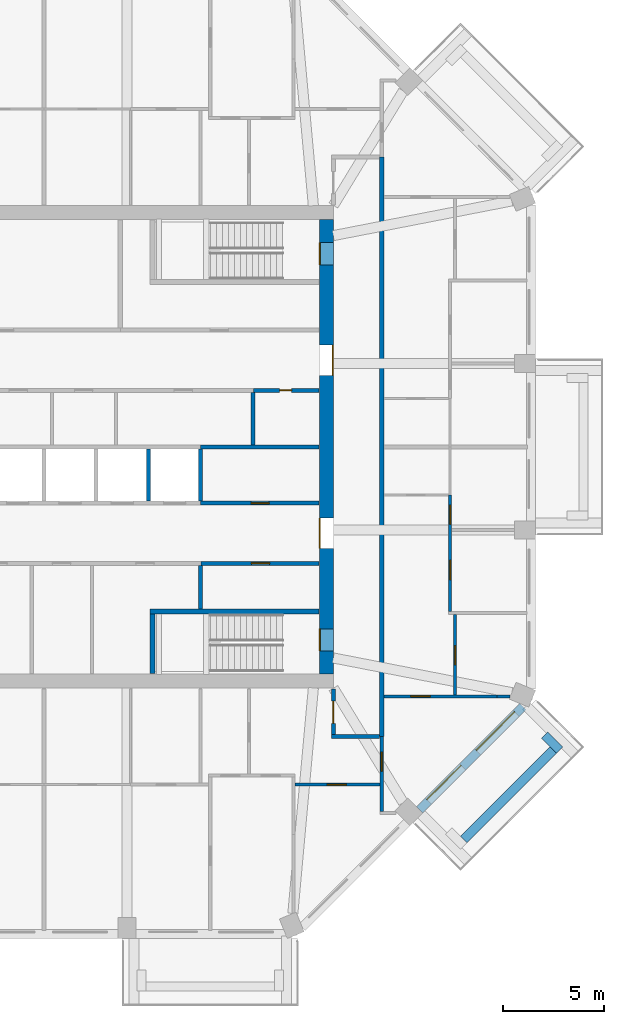
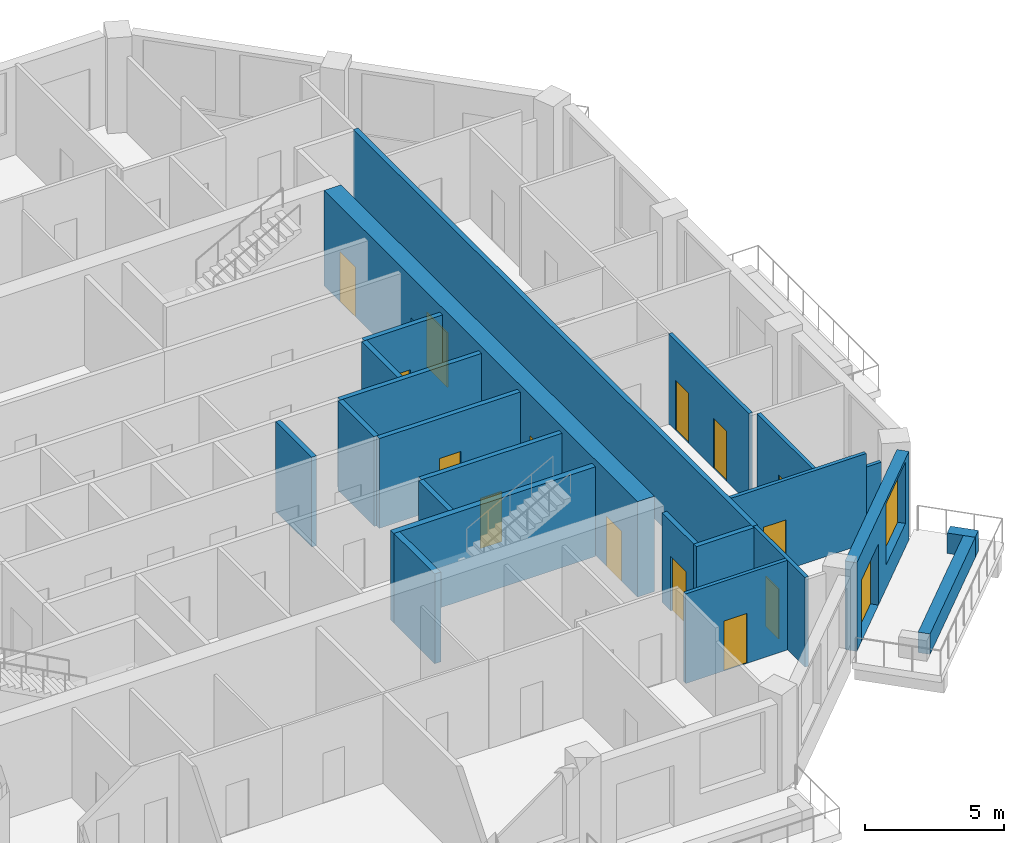
# One storey, part 6 of 12: 23 walls, 15 doors, 1 window, 16 openings.
"""IFC4 building model written with IfcOpenShell, lengths in metres."""

from ifc_helpers import new_model, si_unit, direction, frame, frame_2d, origin, place, context, subcontext, project, spatial, rectangle, extrude, material, layer, layer_set, type_object, element, fill, save


model = new_model("IFC4")

# Units and contexts
model_context = context("Model", 3, precision=1e-05, world=origin(), true_north=direction((0.0, 1.0)))
body_context = subcontext(model_context, "Body", "Model", "MODEL_VIEW")
ifc_project = project(units=[si_unit("LENGTHUNIT", "METRE"), si_unit("AREAUNIT", "SQUARE_METRE"), si_unit("VOLUMEUNIT", "CUBIC_METRE"), si_unit("PLANEANGLEUNIT", "RADIAN"), si_unit("MASSUNIT", "GRAM", prefix="KILO")], contexts=[model_context])

# Site, building, storey
site_placement = place(None, origin())
site = spatial("IfcSite", under=ifc_project, at=site_placement, CompositionType="ELEMENT")
building_placement = place(site_placement, origin())
building = spatial("IfcBuilding", under=site, at=building_placement, Name="Msitu Wima Residences", CompositionType="ELEMENT")
storey_placement = place(building_placement, frame((0.0, 0.0, 183.300048828125)))
storey = spatial("IfcBuildingStorey", under=building, at=storey_placement, Name="L42", CompositionType="ELEMENT", Elevation=183.300048828125)

# Walls
ifc_material_1 = material(Name="Facing brick")
ifc_layer_1 = layer(ifc_material_1, 0.06494140625, Name="Facing brick")
ifc_material_2 = material(Name="Concrete C40/50", Category="concrete")
ifc_layer_2 = layer(ifc_material_2, 0.156005859375, Name="Concrete C40/50")
ifc_material_3 = material(Name="Waterproofing membrane")
ifc_layer_3 = layer(ifc_material_3, 0.00390625, Name="Waterproofing membrane")
ifc_material_4 = material(Name="Planting soil and planting")
ifc_layer_4 = layer(ifc_material_4, 0.22509765625, Name="Planting soil and planting")
ifc_layer_set_1 = layer_set([ifc_layer_1, ifc_layer_2, ifc_layer_3, ifc_layer_4], Name="Concrete C40/50")
wall_type_1 = type_object("IfcWallType", Name="Balcony planter PLANTER PL450", PredefinedType="USERDEFINED", material=ifc_layer_set_1)
wall_1_placement = place(storey_placement, frame((20.875244140625, -19.53173828125, 0.0), z_axis=(0.0, 0.0, 1.0), x_axis=(0.707106781187, 0.707106781187, 0.0)))
element("IfcWall", 1, at=wall_1_placement, inside=storey, type_object=wall_type_1, Name="Balcony planter SE1 L42", ObjectType="PLANTER", PredefinedType="USERDEFINED", context=body_context, shape_type="SweptSolid", body=[
    extrude(rectangle(XDim=6.294189453125, YDim=0.449951171875, at=frame_2d((3.14697265625, 0.0))), origin(), (0.0, 0.0, 1.0), 0.89990234375),
])
wall_2_placement = place(storey_placement, frame((24.901611328125, -14.338623046875, 0.0), z_axis=(0.0, 0.0, 1.0), x_axis=(0.707106781187, -0.707106781187, 0.0)))
element("IfcWall", 2, at=wall_2_placement, inside=storey, type_object=wall_type_1, Name="Balcony planter SE1 L42", ObjectType="PLANTER", PredefinedType="USERDEFINED", context=body_context, shape_type="SweptSolid", body=[
    extrude(rectangle(XDim=1.050048828125, YDim=0.449951171875, at=frame_2d((0.52490234375, 0.0))), origin(), (0.0, 0.0, 1.0), 0.89990234375),
])

# Wall, openings, door, window
ifc_material_5 = material(Name="Brick (red buff mix)", Category="masonry")
ifc_layer_5 = layer(ifc_material_5, 0.449951171875)
ifc_layer_set_2 = layer_set([ifc_layer_5], Name="Brick (red buff mix)")
wall_type_2 = type_object("IfcWallType", Name="Brick infill wall BW450", PredefinedType="SOLIDWALL", material=ifc_layer_set_2)
wall_3_placement = place(storey_placement, frame((18.68310546875, -18.046875, 0.0), z_axis=(0.0, 0.0, 1.0), x_axis=(0.707106781187, 0.707106781187, 0.0)))
wall_3 = element("IfcWall", 3, at=wall_3_placement, inside=storey, type_object=wall_type_2, Name="Brick infill wall L42 SE1", PredefinedType="SOLIDWALL", context=body_context, shape_type="SweptSolid", body=[
    extrude(rectangle(XDim=7.257080078125, YDim=0.449951171875, at=frame_2d((3.62841796875, 0.0))), origin(), (0.0, 0.0, 1.0), 3.89990234375),
])
opening_1_placement = place(wall_3_placement, frame((0.6142578125, 0.0, 0.0)))
opening_1 = element("IfcOpeningElement", 4, at=opening_1_placement, cuts=wall_3, Name="Opening D40-42.008", PredefinedType="OPENING", context=body_context, shape_type="SweptSolid", body=[
    extrude(rectangle(XDim=2.39990234375, YDim=2.699951171875, at=frame_2d((1.199951171875, 1.35009765625))), frame((0.0, 0.23486328125, 0.0), z_axis=(0.0, -1.0, 0.0), x_axis=(1.0, 0.0, 0.0)), (0.0, 0.0, 1.0), 0.469970703125),
])
opening_2_placement = place(wall_3_placement, frame((4.07861328125, 0.0, 1.050048828125)))
opening_2 = element("IfcOpeningElement", 5, at=opening_2_placement, cuts=wall_3, Name="Opening W40-42.022", PredefinedType="OPENING", context=body_context, shape_type="SweptSolid", body=[
    extrude(rectangle(XDim=2.699951171875, YDim=2.699951171875, at=frame_2d((1.35009765625, 1.35009765625))), frame((0.0, 0.23486328125, 0.0), z_axis=(0.0, -1.0, 0.0), x_axis=(1.0, 0.0, 0.0)), (0.0, 0.0, 1.0), 0.469970703125),
])
ifc_material_6 = material(Name="Anodised aluminium, bronze finish, clear low-emissivity double glazing", Category="aluminium")
door_type_1 = type_object("IfcDoorType", Name="Balcony door D2400x2700", OperationType="SLIDING_TO_LEFT", PredefinedType="DOOR", material=ifc_material_6)
door_1_placement = place(opening_1_placement, origin())
door_1 = element("IfcDoor", 6, at=door_1_placement, inside=storey, type_object=door_type_1, Name="Balcony door L42 SE1", OperationType="SINGLE_SWING_LEFT", OverallHeight=2.699951171875, OverallWidth=2.39990234375, PredefinedType="DOOR", context=body_context, shape_type="SweptSolid", body=[
    extrude(rectangle(XDim=2.39990234375, YDim=2.699951171875, at=frame_2d((1.199951171875, 1.35009765625))), frame((0.0, 0.1298828125, 0.0), z_axis=(0.0, -1.0, 0.0), x_axis=(1.0, 0.0, 0.0)), (0.0, 0.0, 1.0), 0.050048828125),
])
fill(opening_1, door_1)
window_type = type_object("IfcWindowType", Name="Window W2700x2700", PartitioningType="DOUBLE_PANEL_VERTICAL", PredefinedType="WINDOW", material=ifc_material_6)
window_placement = place(opening_2_placement, origin())
window = element("IfcWindow", 7, at=window_placement, inside=storey, type_object=window_type, Name="Window L42 SE1.2", OverallHeight=2.699951171875, OverallWidth=2.699951171875, PartitioningType="SINGLE_PANEL", PredefinedType="WINDOW", context=body_context, shape_type="SweptSolid", body=[
    extrude(rectangle(XDim=2.699951171875, YDim=2.699951171875, at=frame_2d((1.35009765625, 1.35009765625))), frame((0.0, 0.135009765625, 0.0), z_axis=(0.0, -1.0, 0.0), x_axis=(1.0, 0.0, 0.0)), (0.0, 0.0, 1.0), 0.06005859375),
])
fill(opening_2, window)

# Wall, openings, doors
ifc_material_7 = material(Name="Concrete C60/75", Category="concrete")
ifc_layer_6 = layer(ifc_material_7, 0.699951171875)
ifc_layer_set_3 = layer_set([ifc_layer_6], Name="Concrete C60/75")
wall_type_3 = type_object("IfcWallType", Name="Core wall CW700 C60/75", PredefinedType="SHEAR", material=ifc_layer_set_3)
wall_4_placement = place(storey_placement, frame((14.050048828125, -11.300048828125, 0.0), z_axis=(0.0, 0.0, 1.0), x_axis=(0.0, 1.0, 0.0)))
wall_4 = element("IfcWall", 8, at=wall_4_placement, inside=storey, type_object=wall_type_3, Name="Core wall", PredefinedType="SHEAR", context=body_context, shape_type="SweptSolid", body=[
    extrude(rectangle(XDim=22.60009765625, YDim=0.699951171875, at=frame_2d((11.300048828125, 0.0))), origin(), (0.0, 0.0, 1.0), 4.199951171875),
])
opening_3_placement = place(wall_4_placement, frame((20.35009765625, 0.0, 0.0)))
opening_3 = element("IfcOpeningElement", 9, at=opening_3_placement, cuts=wall_4, Name="Opening D40-42.091", PredefinedType="OPENING", context=body_context, shape_type="SweptSolid", body=[
    extrude(rectangle(XDim=1.10009765625, YDim=2.199951171875, at=frame_2d((0.550048828125, 1.10009765625))), frame((0.0, 0.35986328125, 0.0), z_axis=(0.0, -1.0, 0.0), x_axis=(1.0, 0.0, 0.0)), (0.0, 0.0, 1.0), 0.719970703125),
])
opening_4_placement = place(wall_4_placement, frame((1.14990234375, 0.0, 0.0)))
opening_4 = element("IfcOpeningElement", 10, at=opening_4_placement, cuts=wall_4, Name="Opening D40-42.092", PredefinedType="OPENING", context=body_context, shape_type="SweptSolid", body=[
    extrude(rectangle(XDim=1.10009765625, YDim=2.199951171875, at=frame_2d((0.550048828125, 1.10009765625))), frame((0.0, 0.35986328125, 0.0), z_axis=(0.0, -1.0, 0.0), x_axis=(1.0, 0.0, 0.0)), (0.0, 0.0, 1.0), 0.719970703125),
])
opening_5_placement = place(wall_4_placement, frame((14.85009765625, 0.0, 0.0)))
opening_5 = element("IfcOpeningElement", 11, at=opening_5_placement, cuts=wall_4, Name="Opening D40-42.079", PredefinedType="OPENING", context=body_context, shape_type="SweptSolid", body=[
    extrude(rectangle(XDim=1.5, YDim=2.39990234375, at=frame_2d((0.75, 1.199951171875))), frame((0.0, 0.35986328125, 0.0), z_axis=(0.0, -1.0, 0.0), x_axis=(1.0, 0.0, 0.0)), (0.0, 0.0, 1.0), 0.719970703125),
])
opening_6_placement = place(wall_4_placement, frame((6.25, 0.0, 0.0)))
opening_6 = element("IfcOpeningElement", 12, at=opening_6_placement, cuts=wall_4, Name="Opening D40-42.080", PredefinedType="OPENING", context=body_context, shape_type="SweptSolid", body=[
    extrude(rectangle(XDim=1.5, YDim=2.39990234375, at=frame_2d((0.75, 1.199951171875))), frame((0.0, 0.35986328125, 0.0), z_axis=(0.0, -1.0, 0.0), x_axis=(1.0, 0.0, 0.0)), (0.0, 0.0, 1.0), 0.719970703125),
])
ifc_material_8 = material(Name="Steel framed glazed door, fire resisting", Category="steel")
door_type_2 = type_object("IfcDoorType", Name="Lobby door D07 1500x2400", OperationType="DOUBLE_DOOR_SINGLE_SWING", PredefinedType="DOOR", material=ifc_material_8)
door_2_placement = place(opening_5_placement, origin())
door_2 = element("IfcDoor", 13, at=door_2_placement, inside=storey, type_object=door_type_2, Name="Lobby door", OperationType="DOUBLE_DOOR_SINGLE_SWING", OverallHeight=2.39990234375, OverallWidth=1.5, PredefinedType="DOOR", context=body_context, shape_type="SweptSolid", body=[
    extrude(rectangle(XDim=1.5, YDim=2.39990234375, at=frame_2d((0.75, 1.199951171875))), frame((0.0, -0.294921875, 0.0), z_axis=(0.0, -1.0, 0.0), x_axis=(1.0, 0.0, 0.0)), (0.0, 0.0, 1.0), 0.050048828125),
])
fill(opening_5, door_2)
door_3_placement = place(opening_6_placement, origin())
door_3 = element("IfcDoor", 14, at=door_3_placement, inside=storey, type_object=door_type_2, Name="Lobby door", OperationType="DOUBLE_DOOR_SINGLE_SWING", OverallHeight=2.39990234375, OverallWidth=1.5, PredefinedType="DOOR", context=body_context, shape_type="SweptSolid", body=[
    extrude(rectangle(XDim=1.5, YDim=2.39990234375, at=frame_2d((0.75, 1.199951171875))), frame((0.0, 0.34521484375, 0.0), z_axis=(0.0, -1.0, 0.0), x_axis=(1.0, 0.0, 0.0)), (0.0, 0.0, 1.0), 0.050048828125),
])
fill(opening_6, door_3)
ifc_material_9 = material(Name="Steel door, fire resisting, panic bar", Category="steel")
door_type_3 = type_object("IfcDoorType", Name="Stair door D06 1100x2200", OperationType="SINGLE_SWING_LEFT", PredefinedType="DOOR", material=ifc_material_9)
door_4_placement = place(opening_3_placement, origin())
door_4 = element("IfcDoor", 15, at=door_4_placement, inside=storey, type_object=door_type_3, Name="Stair door", OperationType="SINGLE_SWING_LEFT", OverallHeight=2.199951171875, OverallWidth=1.10009765625, PredefinedType="DOOR", context=body_context, shape_type="SweptSolid", body=[
    extrude(rectangle(XDim=1.10009765625, YDim=2.199951171875, at=frame_2d((0.550048828125, 1.10009765625))), frame((0.0, 0.34521484375, 0.0), z_axis=(0.0, -1.0, 0.0), x_axis=(1.0, 0.0, 0.0)), (0.0, 0.0, 1.0), 0.050048828125),
])
fill(opening_3, door_4)
door_5_placement = place(opening_4_placement, origin())
door_5 = element("IfcDoor", 16, at=door_5_placement, inside=storey, type_object=door_type_3, Name="Stair door", OperationType="SINGLE_SWING_RIGHT", OverallHeight=2.199951171875, OverallWidth=1.10009765625, PredefinedType="DOOR", context=body_context, shape_type="SweptSolid", body=[
    extrude(rectangle(XDim=1.10009765625, YDim=2.199951171875, at=frame_2d((0.550048828125, 1.10009765625))), frame((0.0, 0.34521484375, 0.0), z_axis=(0.0, -1.0, 0.0), x_axis=(1.0, 0.0, 0.0)), (0.0, 0.0, 1.0), 0.050048828125),
])
fill(opening_4, door_5)

# Wall, opening, door
ifc_material_10 = material(Name="Plaster")
ifc_layer_7 = layer(ifc_material_10, 0.011962890625, Name="Plaster")
ifc_material_11 = material(Name="Concrete blockwork", Category="masonry")
ifc_layer_8 = layer(ifc_material_11, 0.176025390625, Name="Concrete blockwork")
ifc_layer_9 = layer(ifc_material_10, 0.011962890625, Name="Plaster")
ifc_layer_set_4 = layer_set([ifc_layer_7, ifc_layer_8, ifc_layer_9], Name="Concrete blockwork")
wall_type_4 = type_object("IfcWallType", Name="Corridor wall FW200", PredefinedType="PARTITIONING", material=ifc_layer_set_4)
wall_5_placement = place(storey_placement, frame((14.39990234375, -14.300048828125, 0.0), z_axis=(0.0, 0.0, 1.0), x_axis=(0.0, 1.0, 0.0)))
wall_5 = element("IfcWall", 17, at=wall_5_placement, inside=storey, type_object=wall_type_4, Name="Corridor wall", PredefinedType="PARTITIONING", context=body_context, shape_type="SweptSolid", body=[
    extrude(rectangle(XDim=2.27001953125, YDim=0.199951171875, at=frame_2d((1.135009765625, 0.0))), origin(), (0.0, 0.0, 1.0), 3.949951171875),
])
opening_7_placement = place(wall_5_placement, frame((0.550048828125, 0.0, 0.0)))
opening_7 = element("IfcOpeningElement", 18, at=opening_7_placement, cuts=wall_5, Name="Opening D40-42.053", PredefinedType="OPENING", context=body_context, shape_type="SweptSolid", body=[
    extrude(rectangle(XDim=1.10009765625, YDim=2.39990234375, at=frame_2d((0.550048828125, 1.199951171875))), frame((0.0, 0.10986328125, 0.0), z_axis=(0.0, -1.0, 0.0), x_axis=(1.0, 0.0, 0.0)), (0.0, 0.0, 1.0), 0.219970703125),
])
ifc_material_12 = material(Name="Timber flush door, fire resisting, self-closing", Category="wood")
door_type_4 = type_object("IfcDoorType", Name="Flat entrance door D01 1100x2400", OperationType="SINGLE_SWING_LEFT", PredefinedType="DOOR", material=ifc_material_12)
door_6_placement = place(opening_7_placement, origin())
door_6 = element("IfcDoor", 19, at=door_6_placement, inside=storey, type_object=door_type_4, Name="Flat entrance door", OperationType="SINGLE_SWING_RIGHT", OverallHeight=2.39990234375, OverallWidth=1.10009765625, PredefinedType="DOOR", context=body_context, shape_type="SweptSolid", body=[
    extrude(rectangle(XDim=1.10009765625, YDim=2.39990234375, at=frame_2d((0.550048828125, 1.199951171875))), frame((0.0, 0.02490234375, 0.0), z_axis=(0.0, -1.0, 0.0), x_axis=(1.0, 0.0, 0.0)), (0.0, 0.0, 1.0), 0.050048828125),
])
fill(opening_7, door_6)

# Walls
wall_6_placement = place(storey_placement, frame((14.300048828125, -14.39990234375, 0.0), z_axis=(0.0, 0.0, 1.0), x_axis=(1.0, 0.0, 0.0)))
element("IfcWall", 20, at=wall_6_placement, inside=storey, type_object=wall_type_4, Name="Corridor wall", PredefinedType="PARTITIONING", context=body_context, shape_type="SweptSolid", body=[
    extrude(rectangle(XDim=2.39990234375, YDim=0.199951171875, at=frame_2d((1.199951171875, 0.0))), origin(), (0.0, 0.0, 1.0), 3.949951171875),
])
wall_7_placement = place(storey_placement, frame((16.800048828125, -14.39990234375, 0.0), z_axis=(0.0, 0.0, 1.0), x_axis=(0.0, 1.0, 0.0)))
element("IfcWall", 21, at=wall_7_placement, inside=storey, type_object=wall_type_4, Name="Corridor wall", PredefinedType="PARTITIONING", context=body_context, shape_type="SweptSolid", body=[
    extrude(rectangle(XDim=28.7998046875, YDim=0.199951171875, at=frame_2d((14.39990234375, 0.0))), origin(), (0.0, 0.0, 1.0), 3.949951171875),
])

# Wall, opening, door
ifc_layer_10 = layer(ifc_material_10, 0.011962890625, Name="Plaster")
ifc_layer_11 = layer(ifc_material_11, 0.1259765625, Name="Concrete blockwork")
ifc_layer_12 = layer(ifc_material_10, 0.011962890625, Name="Plaster")
ifc_layer_set_5 = layer_set([ifc_layer_10, ifc_layer_11, ifc_layer_12], Name="Concrete blockwork")
wall_type_5 = type_object("IfcWallType", Name="Partition PW150", PredefinedType="PARTITIONING", material=ifc_layer_set_5)
wall_8_placement = place(storey_placement, frame((12.48681640625, -16.800048828125, 0.0), z_axis=(0.0, 0.0, 1.0), x_axis=(1.0, 0.0, 0.0)))
wall_8 = element("IfcWall", 22, at=wall_8_placement, inside=storey, type_object=wall_type_5, Name="Partition", PredefinedType="PARTITIONING", context=body_context, shape_type="SweptSolid", body=[
    extrude(rectangle(XDim=4.23828125, YDim=0.14990234375, at=frame_2d((2.119140625, 0.0))), origin(), (0.0, 0.0, 1.0), 3.949951171875),
])
opening_8_placement = place(wall_8_placement, frame((1.60009765625, 0.0, 0.0)))
opening_8 = element("IfcOpeningElement", 23, at=opening_8_placement, cuts=wall_8, Name="Opening D40-42.060", PredefinedType="OPENING", context=body_context, shape_type="SweptSolid", body=[
    extrude(rectangle(XDim=0.949951171875, YDim=2.199951171875, at=frame_2d((0.47509765625, 1.10009765625))), frame((0.0, 0.0849609375, 0.0), z_axis=(0.0, -1.0, 0.0), x_axis=(1.0, 0.0, 0.0)), (0.0, 0.0, 1.0), 0.169921875),
])
ifc_material_13 = material(Name="Timber flush door", Category="wood")
door_type_5 = type_object("IfcDoorType", Name="Room door D12 950x2200", OperationType="SINGLE_SWING_LEFT", PredefinedType="DOOR", material=ifc_material_13)
door_7_placement = place(opening_8_placement, origin())
door_7 = element("IfcDoor", 24, at=door_7_placement, inside=storey, type_object=door_type_5, Name="Room door", OperationType="SINGLE_SWING_RIGHT", OverallHeight=2.199951171875, OverallWidth=0.949951171875, PredefinedType="DOOR", context=body_context, shape_type="SweptSolid", body=[
    extrude(rectangle(XDim=0.949951171875, YDim=2.199951171875, at=frame_2d((0.47509765625, 1.10009765625))), frame((0.0, 0.02490234375, 0.0), z_axis=(0.0, -1.0, 0.0), x_axis=(1.0, 0.0, 0.0)), (0.0, 0.0, 1.0), 0.050048828125),
])
fill(opening_8, door_7)

wall_9_placement = place(storey_placement, frame((16.800048828125, -18.130859375, 0.0), z_axis=(0.0, 0.0, 1.0), x_axis=(0.0, 1.0, 0.0)))
wall_9 = element("IfcWall", 25, at=wall_9_placement, inside=storey, type_object=wall_type_5, Name="Partition", PredefinedType="PARTITIONING", context=body_context, shape_type="SweptSolid", body=[
    extrude(rectangle(XDim=3.73095703125, YDim=0.14990234375, at=frame_2d((1.865478515625, 0.0))), origin(), (0.0, 0.0, 1.0), 3.949951171875),
])
opening_9_placement = place(wall_9_placement, frame((2.0, 0.0, 0.0)))
opening_9 = element("IfcOpeningElement", 26, at=opening_9_placement, cuts=wall_9, Name="Opening D40-42.061", PredefinedType="OPENING", context=body_context, shape_type="SweptSolid", body=[
    extrude(rectangle(XDim=0.949951171875, YDim=2.199951171875, at=frame_2d((0.47509765625, 1.10009765625))), frame((0.0, 0.0849609375, 0.0), z_axis=(0.0, -1.0, 0.0), x_axis=(1.0, 0.0, 0.0)), (0.0, 0.0, 1.0), 0.169921875),
])
door_8_placement = place(opening_9_placement, origin())
door_8 = element("IfcDoor", 27, at=door_8_placement, inside=storey, type_object=door_type_5, Name="Room door", OperationType="SINGLE_SWING_RIGHT", OverallHeight=2.199951171875, OverallWidth=0.949951171875, PredefinedType="DOOR", context=body_context, shape_type="SweptSolid", body=[
    extrude(rectangle(XDim=0.949951171875, YDim=2.199951171875, at=frame_2d((0.47509765625, 1.10009765625))), frame((0.0, 0.02490234375, 0.0), z_axis=(0.0, -1.0, 0.0), x_axis=(1.0, 0.0, 0.0)), (0.0, 0.0, 1.0), 0.050048828125),
])
fill(opening_9, door_8)

wall_10_placement = place(storey_placement, frame((16.89990234375, -12.411865234375, 0.0), z_axis=(0.0, 0.0, 1.0), x_axis=(1.0, 0.0, 0.0)))
wall_10 = element("IfcWall", 28, at=wall_10_placement, inside=storey, type_object=wall_type_5, Name="Partition", PredefinedType="PARTITIONING", context=body_context, shape_type="SweptSolid", body=[
    extrude(rectangle(XDim=5.638427734375, YDim=0.14990234375, at=frame_2d((2.8193359375, 0.0))), origin(), (0.0, 0.0, 1.0), 3.949951171875),
])
opening_10_placement = place(wall_10_placement, frame((1.35009765625, 0.0, 0.0)))
opening_10 = element("IfcOpeningElement", 29, at=opening_10_placement, cuts=wall_10, Name="Opening D40-42.063", PredefinedType="OPENING", context=body_context, shape_type="SweptSolid", body=[
    extrude(rectangle(XDim=0.949951171875, YDim=2.199951171875, at=frame_2d((0.47509765625, 1.10009765625))), frame((0.0, 0.0849609375, 0.0), z_axis=(0.0, -1.0, 0.0), x_axis=(1.0, 0.0, 0.0)), (0.0, 0.0, 1.0), 0.169921875),
])
door_9_placement = place(opening_10_placement, origin())
door_9 = element("IfcDoor", 30, at=door_9_placement, inside=storey, type_object=door_type_5, Name="Room door", OperationType="SINGLE_SWING_RIGHT", OverallHeight=2.199951171875, OverallWidth=0.949951171875, PredefinedType="DOOR", context=body_context, shape_type="SweptSolid", body=[
    extrude(rectangle(XDim=0.949951171875, YDim=2.199951171875, at=frame_2d((0.47509765625, 1.10009765625))), frame((0.0, 0.02490234375, 0.0), z_axis=(0.0, -1.0, 0.0), x_axis=(1.0, 0.0, 0.0)), (0.0, 0.0, 1.0), 0.050048828125),
])
fill(opening_10, door_9)

# Wall
wall_11_placement = place(storey_placement, frame((22.538330078125, -12.411865234375, 0.0), z_axis=(0.0, 0.0, 1.0), x_axis=(1.0, 0.0, 0.0)))
element("IfcWall", 31, at=wall_11_placement, inside=storey, type_object=wall_type_5, Name="Partition", PredefinedType="PARTITIONING", context=body_context, shape_type="SweptSolid", body=[
    extrude(rectangle(XDim=0.630615234375, YDim=0.14990234375, at=frame_2d((0.3154296875, 0.0))), origin(), (0.0, 0.0, 1.0), 3.349853515625),
])

# Wall, openings, doors
wall_12_placement = place(storey_placement, frame((20.199951171875, -8.199462890625, 0.0), z_axis=(0.0, 0.0, 1.0), x_axis=(0.0, 1.0, 0.0)))
wall_12 = element("IfcWall", 32, at=wall_12_placement, inside=storey, type_object=wall_type_5, Name="Partition", PredefinedType="PARTITIONING", context=body_context, shape_type="SweptSolid", body=[
    extrude(rectangle(XDim=5.799560546875, YDim=0.14990234375, at=frame_2d((2.89990234375, 0.0))), origin(), (0.0, 0.0, 1.0), 3.949951171875),
])
opening_11_placement = place(wall_12_placement, frame((4.35009765625, 0.0, 0.0)))
opening_11 = element("IfcOpeningElement", 33, at=opening_11_placement, cuts=wall_12, Name="Opening D40-42.064", PredefinedType="OPENING", context=body_context, shape_type="SweptSolid", body=[
    extrude(rectangle(XDim=0.949951171875, YDim=2.199951171875, at=frame_2d((0.47509765625, 1.10009765625))), frame((0.0, 0.0849609375, 0.0), z_axis=(0.0, -1.0, 0.0), x_axis=(1.0, 0.0, 0.0)), (0.0, 0.0, 1.0), 0.169921875),
])
opening_12_placement = place(wall_12_placement, frame((1.60009765625, 0.0, 0.0)))
opening_12 = element("IfcOpeningElement", 34, at=opening_12_placement, cuts=wall_12, Name="Opening D40-42.065", PredefinedType="OPENING", context=body_context, shape_type="SweptSolid", body=[
    extrude(rectangle(XDim=0.949951171875, YDim=2.199951171875, at=frame_2d((0.47509765625, 1.10009765625))), frame((0.0, 0.0849609375, 0.0), z_axis=(0.0, -1.0, 0.0), x_axis=(1.0, 0.0, 0.0)), (0.0, 0.0, 1.0), 0.169921875),
])
door_10_placement = place(opening_11_placement, origin())
door_10 = element("IfcDoor", 35, at=door_10_placement, inside=storey, type_object=door_type_5, Name="Room door", OperationType="SINGLE_SWING_RIGHT", OverallHeight=2.199951171875, OverallWidth=0.949951171875, PredefinedType="DOOR", context=body_context, shape_type="SweptSolid", body=[
    extrude(rectangle(XDim=0.949951171875, YDim=2.199951171875, at=frame_2d((0.47509765625, 1.10009765625))), frame((0.0, 0.02490234375, 0.0), z_axis=(0.0, -1.0, 0.0), x_axis=(1.0, 0.0, 0.0)), (0.0, 0.0, 1.0), 0.050048828125),
])
fill(opening_11, door_10)
door_11_placement = place(opening_12_placement, origin())
door_11 = element("IfcDoor", 36, at=door_11_placement, inside=storey, type_object=door_type_5, Name="Room door", OperationType="SINGLE_SWING_LEFT", OverallHeight=2.199951171875, OverallWidth=0.949951171875, PredefinedType="DOOR", context=body_context, shape_type="SweptSolid", body=[
    extrude(rectangle(XDim=0.949951171875, YDim=2.199951171875, at=frame_2d((0.47509765625, 1.10009765625))), frame((0.0, 0.02490234375, 0.0), z_axis=(0.0, -1.0, 0.0), x_axis=(1.0, 0.0, 0.0)), (0.0, 0.0, 1.0), 0.050048828125),
])
fill(opening_12, door_11)

# Wall, opening, door
wall_13_placement = place(storey_placement, frame((20.449951171875, -12.336669921875, 0.0), z_axis=(0.0, 0.0, 1.0), x_axis=(0.0, 1.0, 0.0)))
wall_13 = element("IfcWall", 37, at=wall_13_placement, inside=storey, type_object=wall_type_5, Name="Partition", PredefinedType="PARTITIONING", context=body_context, shape_type="SweptSolid", body=[
    extrude(rectangle(XDim=3.987060546875, YDim=0.14990234375, at=frame_2d((1.99365234375, 0.0))), origin(), (0.0, 0.0, 1.0), 3.949951171875),
])
opening_13_placement = place(wall_13_placement, frame((1.5, 0.0, 0.0)))
opening_13 = element("IfcOpeningElement", 38, at=opening_13_placement, cuts=wall_13, Name="Opening D40-42.066", PredefinedType="OPENING", context=body_context, shape_type="SweptSolid", body=[
    extrude(rectangle(XDim=0.949951171875, YDim=2.199951171875, at=frame_2d((0.47509765625, 1.10009765625))), frame((0.0, 0.0849609375, 0.0), z_axis=(0.0, -1.0, 0.0), x_axis=(1.0, 0.0, 0.0)), (0.0, 0.0, 1.0), 0.169921875),
])
door_12_placement = place(opening_13_placement, origin())
door_12 = element("IfcDoor", 39, at=door_12_placement, inside=storey, type_object=door_type_5, Name="Room door", OperationType="SINGLE_SWING_LEFT", OverallHeight=2.199951171875, OverallWidth=0.949951171875, PredefinedType="DOOR", context=body_context, shape_type="SweptSolid", body=[
    extrude(rectangle(XDim=0.949951171875, YDim=2.199951171875, at=frame_2d((0.47509765625, 1.10009765625))), frame((0.0, 0.02490234375, 0.0), z_axis=(0.0, -1.0, 0.0), x_axis=(1.0, 0.0, 0.0)), (0.0, 0.0, 1.0), 0.050048828125),
])
fill(opening_13, door_12)

ifc_layer_13 = layer(ifc_material_10, 0.011962890625, Name="Plaster")
ifc_material_14 = material(Name="Reinforced concrete blockwork", Category="masonry")
ifc_layer_14 = layer(ifc_material_14, 0.176025390625, Name="Reinforced concrete blockwork")
ifc_layer_15 = layer(ifc_material_10, 0.011962890625, Name="Plaster")
ifc_layer_set_6 = layer_set([ifc_layer_13, ifc_layer_14, ifc_layer_15], Name="Reinforced concrete blockwork")
wall_type_6 = type_object("IfcWallType", Name="Plant and riser wall PL200", PredefinedType="PARTITIONING", material=ifc_layer_set_6)
wall_14_placement = place(storey_placement, frame((7.820068359375, -5.800048828125, 0.0), z_axis=(0.0, 0.0, 1.0), x_axis=(1.0, 0.0, 0.0)))
wall_14 = element("IfcWall", 40, at=wall_14_placement, inside=storey, type_object=wall_type_6, Name="Plant and riser wall", PredefinedType="PARTITIONING", context=body_context, shape_type="SweptSolid", body=[
    extrude(rectangle(XDim=5.849853515625, YDim=0.199951171875, at=frame_2d((2.9248046875, 0.0))), origin(), (0.0, 0.0, 1.0), 3.949951171875),
])
opening_14_placement = place(wall_14_placement, frame((2.5, 0.0, 0.0)))
opening_14 = element("IfcOpeningElement", 41, at=opening_14_placement, cuts=wall_14, Name="Opening D40-42.078", PredefinedType="OPENING", context=body_context, shape_type="SweptSolid", body=[
    extrude(rectangle(XDim=0.89990234375, YDim=2.199951171875, at=frame_2d((0.449951171875, 1.10009765625))), frame((0.0, 0.10986328125, 0.0), z_axis=(0.0, -1.0, 0.0), x_axis=(1.0, 0.0, 0.0)), (0.0, 0.0, 1.0), 0.219970703125),
])
door_type_6 = type_object("IfcDoorType", Name="Service door D05 900x2200", OperationType="SINGLE_SWING_LEFT", PredefinedType="DOOR", material=ifc_material_13)
door_13_placement = place(opening_14_placement, origin())
door_13 = element("IfcDoor", 42, at=door_13_placement, inside=storey, type_object=door_type_6, Name="Service door", OperationType="SINGLE_SWING_RIGHT", OverallHeight=2.199951171875, OverallWidth=0.89990234375, PredefinedType="DOOR", context=body_context, shape_type="SweptSolid", body=[
    extrude(rectangle(XDim=0.89990234375, YDim=2.199951171875, at=frame_2d((0.449951171875, 1.10009765625))), frame((0.0, 0.02490234375, 0.0), z_axis=(0.0, -1.0, 0.0), x_axis=(1.0, 0.0, 0.0)), (0.0, 0.0, 1.0), 0.050048828125),
])
fill(opening_14, door_13)

wall_15_placement = place(storey_placement, frame((7.800048828125, -2.800048828125, 0.0), z_axis=(0.0, 0.0, 1.0), x_axis=(1.0, 0.0, 0.0)))
wall_15 = element("IfcWall", 43, at=wall_15_placement, inside=storey, type_object=wall_type_6, Name="Plant and riser wall", PredefinedType="PARTITIONING", context=body_context, shape_type="SweptSolid", body=[
    extrude(rectangle(XDim=5.869873046875, YDim=0.199951171875, at=frame_2d((2.93505859375, 0.0))), origin(), (0.0, 0.0, 1.0), 3.949951171875),
])
opening_15_placement = place(wall_15_placement, frame((2.5, 0.0, 0.0)))
opening_15 = element("IfcOpeningElement", 44, at=opening_15_placement, cuts=wall_15, Name="Opening D40-42.067", PredefinedType="OPENING", context=body_context, shape_type="SweptSolid", body=[
    extrude(rectangle(XDim=0.89990234375, YDim=2.199951171875, at=frame_2d((0.449951171875, 1.10009765625))), frame((0.0, 0.10986328125, 0.0), z_axis=(0.0, -1.0, 0.0), x_axis=(1.0, 0.0, 0.0)), (0.0, 0.0, 1.0), 0.219970703125),
])
door_14_placement = place(opening_15_placement, origin())
door_14 = element("IfcDoor", 45, at=door_14_placement, inside=storey, type_object=door_type_6, Name="Service door", OperationType="SINGLE_SWING_LEFT", OverallHeight=2.199951171875, OverallWidth=0.89990234375, PredefinedType="DOOR", context=body_context, shape_type="SweptSolid", body=[
    extrude(rectangle(XDim=0.89990234375, YDim=2.199951171875, at=frame_2d((0.449951171875, 1.10009765625))), frame((0.0, 0.02490234375, 0.0), z_axis=(0.0, -1.0, 0.0), x_axis=(1.0, 0.0, 0.0)), (0.0, 0.0, 1.0), 0.050048828125),
])
fill(opening_15, door_14)

# Walls
wall_16_placement = place(storey_placement, frame((7.800048828125, -8.074951171875, 0.0), z_axis=(0.0, 0.0, 1.0), x_axis=(0.0, 1.0, 0.0)))
element("IfcWall", 46, at=wall_16_placement, inside=storey, type_object=wall_type_6, Name="Plant and riser wall", PredefinedType="PARTITIONING", context=body_context, shape_type="SweptSolid", body=[
    extrude(rectangle(XDim=2.175048828125, YDim=0.199951171875, at=frame_2d((1.08740234375, 0.0))), origin(), (0.0, 0.0, 1.0), 3.949951171875),
])
wall_17_placement = place(storey_placement, frame((7.800048828125, 0.0, 0.0), z_axis=(0.0, 0.0, 1.0), x_axis=(1.0, 0.0, 0.0)))
element("IfcWall", 47, at=wall_17_placement, inside=storey, type_object=wall_type_6, Name="Plant and riser wall", PredefinedType="PARTITIONING", context=body_context, shape_type="SweptSolid", body=[
    extrude(rectangle(XDim=5.869873046875, YDim=0.199951171875, at=frame_2d((2.93505859375, 0.0))), origin(), (0.0, 0.0, 1.0), 3.949951171875),
])

# Wall, opening, door
wall_18_placement = place(storey_placement, frame((10.419921875, 2.800048828125, 0.0), z_axis=(0.0, 0.0, 1.0), x_axis=(1.0, 0.0, 0.0)))
wall_18 = element("IfcWall", 48, at=wall_18_placement, inside=storey, type_object=wall_type_6, Name="Plant and riser wall", PredefinedType="PARTITIONING", context=body_context, shape_type="SweptSolid", body=[
    extrude(rectangle(XDim=3.25, YDim=0.199951171875, at=frame_2d((1.625, 0.0))), origin(), (0.0, 0.0, 1.0), 3.949951171875),
])
opening_16_placement = place(wall_18_placement, frame((1.300048828125, 0.0, 0.0)))
opening_16 = element("IfcOpeningElement", 49, at=opening_16_placement, cuts=wall_18, Name="Opening D40-42.085", PredefinedType="OPENING", context=body_context, shape_type="SweptSolid", body=[
    extrude(rectangle(XDim=0.60009765625, YDim=2.0, at=frame_2d((0.300048828125, 1.0))), frame((0.0, 0.10986328125, 0.0), z_axis=(0.0, -1.0, 0.0), x_axis=(1.0, 0.0, 0.0)), (0.0, 0.0, 1.0), 0.219970703125),
])
ifc_material_15 = material(Name="Steel access door, fire resisting", Category="steel")
door_type_7 = type_object("IfcDoorType", Name="Riser access door D08 600x2000", OperationType="SINGLE_SWING_LEFT", PredefinedType="DOOR", material=ifc_material_15)
door_15_placement = place(opening_16_placement, origin())
door_15 = element("IfcDoor", 50, at=door_15_placement, inside=storey, type_object=door_type_7, Name="Riser access door", OperationType="SINGLE_SWING_RIGHT", OverallHeight=2.0, OverallWidth=0.60009765625, PredefinedType="DOOR", context=body_context, shape_type="SweptSolid", body=[
    extrude(rectangle(XDim=0.60009765625, YDim=2.0, at=frame_2d((0.300048828125, 1.0))), frame((0.0, 0.02490234375, 0.0), z_axis=(0.0, -1.0, 0.0), x_axis=(1.0, 0.0, 0.0)), (0.0, 0.0, 1.0), 0.050048828125),
])
fill(opening_16, door_15)

# Walls
wall_19_placement = place(storey_placement, frame((10.39990234375, 0.10009765625, 0.0), z_axis=(0.0, 0.0, 1.0), x_axis=(0.0, 1.0, 0.0)))
element("IfcWall", 51, at=wall_19_placement, inside=storey, type_object=wall_type_6, Name="Plant and riser wall", PredefinedType="PARTITIONING", context=body_context, shape_type="SweptSolid", body=[
    extrude(rectangle(XDim=2.599853515625, YDim=0.199951171875, at=frame_2d((1.2998046875, 0.0))), origin(), (0.0, 0.0, 1.0), 3.949951171875),
])
ifc_material_16 = material(Name="Fire-rated board")
ifc_layer_16 = layer(ifc_material_16, 0.02490234375, Name="Fire-rated board")
ifc_material_17 = material(Name="Light-gauge stud framing with mineral wool")
ifc_layer_17 = layer(ifc_material_17, 0.14990234375, Name="Light-gauge stud framing with mineral wool")
ifc_layer_18 = layer(ifc_material_16, 0.02490234375, Name="Fire-rated board")
ifc_layer_set_7 = layer_set([ifc_layer_16, ifc_layer_17, ifc_layer_18], Name="Light-gauge stud framing with mineral wool")
wall_type_7 = type_object("IfcWallType", Name="Shaft wall SH200", PredefinedType="PARTITIONING", material=ifc_layer_set_7)
for number, where, z_axis, x_axis, name in (
    (52, (5.199951171875, -2.699951171875, 0.0), (0.0, 0.0, 1.0), (0.0, 1.0, 0.0), "Shaft wall"),
    (53, (7.800048828125, -2.699951171875, 0.0), (0.0, 0.0, 1.0), (0.0, 1.0, 0.0), "Shaft wall"),
):
    element("IfcWall", number, at=place(storey_placement, frame(where, z_axis=z_axis, x_axis=x_axis)), inside=storey, type_object=wall_type_7, Name=name, PredefinedType="PARTITIONING", context=body_context, shape_type="SweptSolid", body=[
        extrude(rectangle(XDim=2.599853515625, YDim=0.199951171875, at=frame_2d((1.2998046875, 0.0))), origin(), (0.0, 0.0, 1.0), 3.949951171875),
    ])
ifc_material_18 = material(Name="Concrete C50/60", Category="concrete")
ifc_layer_19 = layer(ifc_material_18, 0.25)
ifc_layer_set_8 = layer_set([ifc_layer_19], Name="Concrete C50/60")
wall_type_8 = type_object("IfcWallType", Name="Stair enclosure wall SW250", PredefinedType="SHEAR", material=ifc_layer_set_8)
wall_20_placement = place(storey_placement, frame((5.39990234375, -11.27001953125, 0.0), z_axis=(0.0, 0.0, 1.0), x_axis=(0.0, 1.0, 0.0)))
element("IfcWall", 54, at=wall_20_placement, inside=storey, type_object=wall_type_8, Name="Stair enclosure wall", PredefinedType="SHEAR", context=body_context, shape_type="SweptSolid", body=[
    extrude(rectangle(XDim=2.945068359375, YDim=0.25, at=frame_2d((1.47265625, 0.0))), origin(), (0.0, 0.0, 1.0), 3.949951171875),
])
wall_21_placement = place(storey_placement, frame((5.27490234375, -8.199951171875, 0.0), z_axis=(0.0, 0.0, 1.0), x_axis=(1.0, 0.0, 0.0)))
element("IfcWall", 55, at=wall_21_placement, inside=storey, type_object=wall_type_8, Name="Stair enclosure wall", PredefinedType="SHEAR", context=body_context, shape_type="SweptSolid", body=[
    extrude(rectangle(XDim=8.39501953125, YDim=0.25, at=frame_2d((4.197509765625, 0.0))), origin(), (0.0, 0.0, 1.0), 3.949951171875),
])

save(model, "model.ifc")
